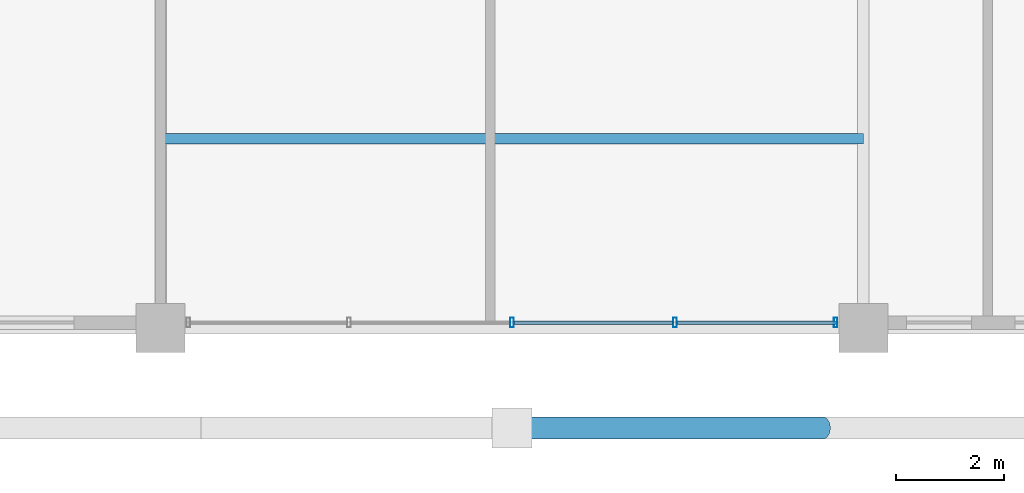
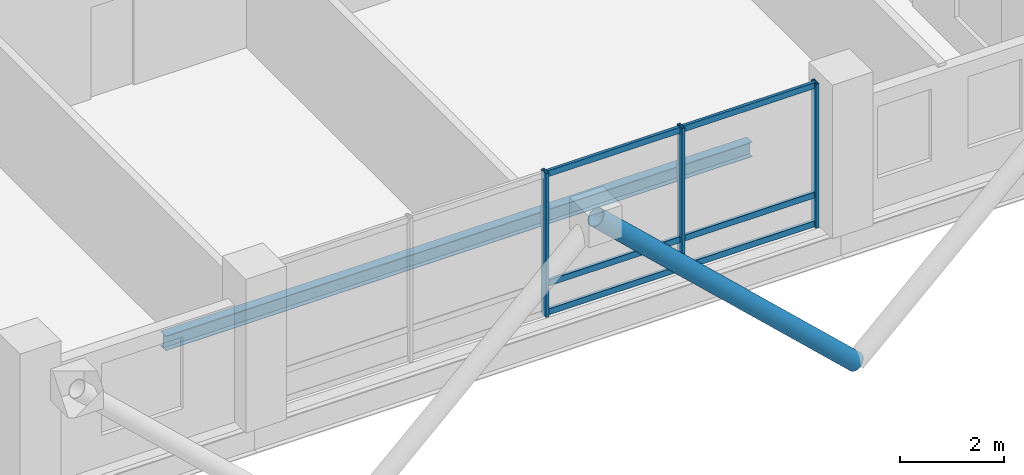
# One storey, part 5 of 23: 10 members, 1 beam, 1 element without a shape of its own.
"""IFC4 building model written with IfcOpenShell, lengths in metres."""

import ifcopenshell
import ifcopenshell.guid

model = None  # the IFC model being written
_history = None  # IfcOwnerHistory: only IFC2X3 demands one
_inside = {}  # id of a spatial element -> (the spatial element, [elements in it])
_under = {}  # id of a project, library or spatial element -> (it, [spatial elements below it])
_declared = {}  # id of a project -> (the project, [libraries it declares])
_typed = {}  # id of a type object -> (the type object, [elements of that type])
_made_of = {}  # id of a material, layer set ... -> (it, [elements and type objects made of it])


def new_model(schema):
    """Start an empty IFC model of exactly this schema.

    Asked for "IFC4X3", IfcOpenShell would pick the latest addendum, in which some entities
    have other attributes; the version numbers below select the first issue.
    IFC2X3 requires an IfcOwnerHistory on every rooted entity: one is made here for all.
    """
    global model, _history
    if schema == "IFC4X3":
        model = ifcopenshell.file(schema_version=(4, 3, 0, 0))
    else:
        model = ifcopenshell.file(schema=schema)
    _inside.clear()
    _under.clear()
    _declared.clear()
    _typed.clear()
    _made_of.clear()
    _history = None
    if model.schema == "IFC2X3":
        org = make("IfcOrganization", Name="unknown")
        user = make(
            "IfcPersonAndOrganization",
            ThePerson=make("IfcPerson", FamilyName="unknown"),
            TheOrganization=org,
        )
        app = make(
            "IfcApplication",
            ApplicationDeveloper=org,
            Version="unknown",
            ApplicationFullName="unknown",
            ApplicationIdentifier="unknown",
        )
        _history = make(
            "IfcOwnerHistory",
            OwningUser=user,
            OwningApplication=app,
            ChangeAction="ADDED",
            CreationDate=0,
        )
    return model


def make(cls, **values):
    """One entity of the class cls with the attributes given. An attribute that is None is left unset."""
    return model.create_entity(
        cls, **{name: value for name, value in values.items() if value is not None}
    )


def rooted(cls, **values):
    """An entity with a GlobalId (a new one), such as an element, a storey or a relation."""
    return make(cls, GlobalId=ifcopenshell.guid.new(), OwnerHistory=_history, **values)


def si_unit(unit_type, name, prefix=None):
    """IfcSIUnit, for example si_unit("LENGTHUNIT", "METRE", prefix="MILLI")."""
    return make("IfcSIUnit", UnitType=unit_type, Prefix=prefix, Name=name)


def assignment(units):
    """IfcUnitAssignment: the units of a project."""
    return None if units is None else make("IfcUnitAssignment", Units=units)


def point(xyz):
    """IfcCartesianPoint."""
    return None if xyz is None else make("IfcCartesianPoint", Coordinates=xyz)


def direction(xyz):
    """IfcDirection."""
    return None if xyz is None else make("IfcDirection", DirectionRatios=xyz)


def frame(location, z_axis=None, x_axis=None):
    """IfcAxis2Placement3D, a coordinate frame: its origin and axes. An axis left out is left unset."""
    return make(
        "IfcAxis2Placement3D",
        Location=point(location),
        Axis=direction(z_axis),
        RefDirection=direction(x_axis),
    )


def frame_2d(location, x_axis=None):
    """IfcAxis2Placement2D, a coordinate frame in the plane: its origin and x axis."""
    return make(
        "IfcAxis2Placement2D", Location=point(location), RefDirection=direction(x_axis)
    )


def origin():
    """The frame at (0, 0, 0) with its axes left unset."""
    return frame((0.0, 0.0, 0.0))


def origin_2d():
    """The frame at (0, 0) in the plane with its x axis left unset."""
    return frame_2d((0.0, 0.0))


def place(relative_to, where):
    """IfcLocalPlacement: puts the frame where relative to a parent placement (None: the world)."""
    return make(
        "IfcLocalPlacement", PlacementRelTo=relative_to, RelativePlacement=where
    )


def context(
    kind, dimensions, precision=None, world=None, true_north=None, identifier=None
):
    """IfcGeometricRepresentationContext, for example the 3D "Model" context."""
    return make(
        "IfcGeometricRepresentationContext",
        ContextIdentifier=identifier,
        ContextType=kind,
        CoordinateSpaceDimension=dimensions,
        Precision=precision,
        WorldCoordinateSystem=world,
        TrueNorth=true_north,
    )


def subcontext(parent, identifier, kind, view, scale=None):
    """IfcGeometricRepresentationSubContext, for example "Body" below "Model"."""
    return make(
        "IfcGeometricRepresentationSubContext",
        ContextIdentifier=identifier,
        ContextType=kind,
        ParentContext=parent,
        TargetScale=scale,
        TargetView=view,
    )


def project(units=None, contexts=None):
    """IfcProject with its units and contexts."""
    return rooted(
        "IfcProject",
        Name="project",
        RepresentationContexts=contexts,
        UnitsInContext=assignment(units),
    )


def spatial(cls, under=None, at=None, **own):
    """A site, building, storey or space (cls), placed at a placement, below another one or the project."""
    s = rooted(cls, ObjectPlacement=at, **own)
    if under is not None:
        _under.setdefault(under.id(), (under, []))[1].append(s)
    return s


def profile(cls, at=None, kind="AREA", **sizes):
    """A parametric profile (cls). Its sizes go by their IFC names, for example OverallWidth=200.0."""
    return make(cls, ProfileType=kind, Position=at, **sizes)


def hollow_rectangle(**sizes):
    """IfcRectangleHollowProfileDef."""
    return profile("IfcRectangleHollowProfileDef", **sizes)


def hollow_circle(**sizes):
    """IfcCircleHollowProfileDef."""
    return profile("IfcCircleHollowProfileDef", **sizes)


def i_section(**sizes):
    """IfcIShapeProfileDef."""
    return profile("IfcIShapeProfileDef", **sizes)


def extrude(swept, where, along, depth):
    """IfcExtrudedAreaSolid: the profile swept, set in the frame where, extruded along a direction by depth."""
    return make(
        "IfcExtrudedAreaSolid",
        SweptArea=swept,
        Position=where,
        ExtrudedDirection=direction(along),
        Depth=depth,
    )


def shape(context_of_items, identifier, shape_type, items):
    """IfcShapeRepresentation: the items that make up one representation, for example the "Body"."""
    return make(
        "IfcShapeRepresentation",
        ContextOfItems=context_of_items,
        RepresentationIdentifier=identifier,
        RepresentationType=shape_type,
        Items=items,
    )


def material(Name=None, Category=None):
    """IfcMaterial."""
    return make("IfcMaterial", Name=Name, Category=Category)


def layer(
    of_material, thickness, ventilated=None, Name=None, Category=None, Priority=None
):
    """IfcMaterialLayer: one layer of a wall or slab, of a material (None: an air gap)."""
    return make(
        "IfcMaterialLayer",
        Material=of_material,
        LayerThickness=thickness,
        IsVentilated=ventilated,
        Name=Name,
        Category=Category,
        Priority=Priority,
    )


def layer_set(layers, Name=None):
    """IfcMaterialLayerSet."""
    return make("IfcMaterialLayerSet", MaterialLayers=layers, LayerSetName=Name)


def material_profile(
    of_material, cross_section, Name=None, Category=None, Priority=None
):
    """IfcMaterialProfile: a cross section and its material."""
    return make(
        "IfcMaterialProfile",
        Name=Name,
        Material=of_material,
        Profile=cross_section,
        Priority=Priority,
        Category=Category,
    )


def profile_set(profiles, Name=None, composite=None):
    """IfcMaterialProfileSet."""
    return make(
        "IfcMaterialProfileSet",
        Name=Name,
        MaterialProfiles=profiles,
        CompositeProfile=composite,
    )


def made_of(thing, what):
    """Note that an element or type object is made of a material, layer set ...; save() writes the relation."""
    if what is not None:
        _made_of.setdefault(what.id(), (what, []))[1].append(thing)
    return thing


def type_object(cls, material=None, **own):
    """A type object (cls), such as IfcWallType, which elements share."""
    return made_of(rooted(cls, **own), material)


def element(
    cls,
    number,
    at=None,
    inside=None,
    cuts=None,
    type_object=None,
    material=None,
    context=None,
    identifier="Body",
    shape_type=None,
    held_by="IfcProductDefinitionShape",
    body=None,
    shapes=None,
    **own,
):
    """One element of the class cls, such as IfcWall. Its Tag is "e" and its number.

    at: its placement. inside: the storey or other place that contains it. cuts: it is an
    opening in that element (IfcRelVoidsElement). A single representation is given by context,
    identifier, shape_type and body (its items); several are given by shapes. held_by: the class
    of the entity that holds the representations. save() writes the other relations.
    """
    e = rooted(cls, Tag="e%d" % number, ObjectPlacement=at, **own)
    if body is not None:
        shapes = [shape(context, identifier, shape_type, body)]
    if shapes is not None:
        e.Representation = make(held_by, Representations=shapes)
    if inside is not None:
        _inside.setdefault(inside.id(), (inside, []))[1].append(e)
    if cuts is not None:
        rooted(
            "IfcRelVoidsElement", RelatingBuildingElement=cuts, RelatedOpeningElement=e
        )
    if type_object is not None:
        _typed.setdefault(type_object.id(), (type_object, []))[1].append(e)
    return made_of(e, material)


def aggregate(whole, parts):
    """IfcRelAggregates: a whole, such as a stair, and the parts it consists of."""
    return rooted("IfcRelAggregates", RelatingObject=whole, RelatedObjects=parts)


def save(model, path):
    """Write the relations noted so far, then the file.

    IfcRelAggregates (storeys below a building ...), IfcRelContainedInSpatialStructure (elements
    in a storey), IfcRelDefinesByType, IfcRelAssociatesMaterial and IfcRelDeclares: one each for
    every whole, place, type object, material and project.
    """
    for whole, parts in _under.values():
        aggregate(whole, parts)
    for where, things in _inside.values():
        rooted(
            "IfcRelContainedInSpatialStructure",
            RelatedElements=things,
            RelatingStructure=where,
        )
    for kind, things in _typed.values():
        rooted("IfcRelDefinesByType", RelatedObjects=things, RelatingType=kind)
    for what, things in _made_of.values():
        rooted("IfcRelAssociatesMaterial", RelatedObjects=things, RelatingMaterial=what)
    for by, libraries in _declared.values():
        rooted("IfcRelDeclares", RelatingContext=by, RelatedDefinitions=libraries)
    model.write(path)


model = new_model("IFC4")

# Units and contexts
model_context = context("Model", 3, precision=1e-05, world=origin(), true_north=direction((0.0, 1.0)))
body_context = subcontext(model_context, "Body", "Model", "MODEL_VIEW")
ifc_project = project(units=[si_unit("LENGTHUNIT", "METRE"), si_unit("AREAUNIT", "SQUARE_METRE"), si_unit("VOLUMEUNIT", "CUBIC_METRE"), si_unit("PLANEANGLEUNIT", "RADIAN"), si_unit("MASSUNIT", "GRAM", prefix="KILO")], contexts=[model_context])

# Site, building, storey
site_placement = place(None, origin())
site = spatial("IfcSite", under=ifc_project, at=site_placement, CompositionType="ELEMENT")
building_placement = place(site_placement, origin())
building = spatial("IfcBuilding", under=site, at=building_placement, Name="Barlavira Tower and Art Museum", CompositionType="ELEMENT")
storey_placement = place(building_placement, frame((0.0, 0.0, 279.89990234375)))
storey = spatial("IfcBuildingStorey", under=building, at=storey_placement, Name="L73", CompositionType="ELEMENT", Elevation=279.89990234375)

# Curtain wall, members
ifc_material_1 = material(Name="Low-iron coastal laminated glass", Category="glass")
ifc_layer = layer(ifc_material_1, 0.2099609375, Name="Low-iron coastal laminated glass")
ifc_layer_set = layer_set([ifc_layer], Name="Low-iron coastal laminated glass")
curtain_wall_type = type_object("IfcCurtainWallType", Name="Pale-Metal Unitised Curtain Wall Zone 4", PredefinedType="NOTDEFINED", material=ifc_layer_set)
curtain_wall_placement = place(storey_placement, origin())
curtain_wall = element("IfcCurtainWall", 1, at=curtain_wall_placement, inside=storey, type_object=curtain_wall_type, Name="L73 Curtain Wall CW4-L73-S-B2", PredefinedType="NOTDEFINED")
ifc_material_2 = material(Name="Pale anodised aluminium", Category="aluminium")
ifc_material_profile_1 = material_profile(ifc_material_2, hollow_rectangle(XDim=0.06494140625, YDim=0.179931640625, WallThickness=0.00390625, at=origin_2d()), Name="ALU-MULL 65x180x4")
ifc_profile_set_1 = profile_set([ifc_material_profile_1], Name="Pale anodised aluminium")
member_type_1 = type_object("IfcMemberType", Name="Curtain Wall Pale-Metal Mullion 65x180", PredefinedType="MULLION", material=ifc_profile_set_1)
member_1_placement = place(storey_placement, frame((0.0, -19.89990234375, 0.0), z_axis=(0.0, 0.0, 1.0), x_axis=(1.0, 0.0, 0.0)))
member_1 = element("IfcMember", 2, at=member_1_placement, type_object=member_type_1, Name="CW4-L73-S-B2 Mullion 2", PredefinedType="MULLION", context=body_context, shape_type="SweptSolid", body=[
    extrude(hollow_rectangle(XDim=0.06494140625, YDim=0.179931640625, WallThickness=0.00390625, at=origin_2d()), origin(), (0.0, 0.0, 1.0), 3.380126953125),
])
member_2_placement = place(storey_placement, frame((3.014892578125, -19.89990234375, 0.0), z_axis=(0.0, 0.0, 1.0), x_axis=(1.0, 0.0, 0.0)))
member_2 = element("IfcMember", 3, at=member_2_placement, type_object=member_type_1, Name="CW4-L73-S-B2 Mullion 3", PredefinedType="MULLION", context=body_context, shape_type="SweptSolid", body=[
    extrude(hollow_rectangle(XDim=0.06494140625, YDim=0.179931640625, WallThickness=0.00390625, at=origin_2d()), origin(), (0.0, 0.0, 1.0), 3.380126953125),
])
member_3_placement = place(storey_placement, frame((5.985107421875, -19.89990234375, 0.0), z_axis=(0.0, 0.0, 1.0), x_axis=(1.0, 0.0, 0.0)))
member_3 = element("IfcMember", 4, at=member_3_placement, type_object=member_type_1, Name="CW4-L73-S-B2 Mullion 4", PredefinedType="MULLION", context=body_context, shape_type="SweptSolid", body=[
    extrude(hollow_rectangle(XDim=0.06494140625, YDim=0.179931640625, WallThickness=0.00390625, at=origin_2d()), origin(), (0.0, 0.0, 1.0), 3.380126953125),
])
ifc_material_profile_2 = material_profile(ifc_material_2, hollow_rectangle(XDim=0.06494140625, YDim=0.139892578125, WallThickness=0.00390625, at=origin_2d()), Name="ALU-TRAN 65x140x4")
ifc_profile_set_2 = profile_set([ifc_material_profile_2], Name="Pale anodised aluminium")
member_type_2 = type_object("IfcMemberType", Name="Curtain Wall Pale-Metal Transom 65x140", PredefinedType="USERDEFINED", material=ifc_profile_set_2)
member_4_placement = place(storey_placement, frame((0.044921875, -19.89990234375, 0.070068359375), z_axis=(1.0, 0.0, 0.0), x_axis=(0.0, 1.0, 0.0)))
member_4 = element("IfcMember", 5, at=member_4_placement, type_object=member_type_2, Name="CW4-L73-S-B2 Transom 2.1", ObjectType="TRANSOM", PredefinedType="USERDEFINED", context=body_context, shape_type="SweptSolid", body=[
    extrude(hollow_rectangle(XDim=0.06494140625, YDim=0.139892578125, WallThickness=0.00390625, at=origin_2d()), origin(), (0.0, 0.0, 1.0), 2.925048828125),
])
member_5_placement = place(storey_placement, frame((0.044921875, -19.89990234375, 0.744140625), z_axis=(1.0, 0.0, 0.0), x_axis=(0.0, 1.0, 0.0)))
member_5 = element("IfcMember", 6, at=member_5_placement, type_object=member_type_2, Name="CW4-L73-S-B2 Transom 2.2", ObjectType="TRANSOM", PredefinedType="USERDEFINED", context=body_context, shape_type="SweptSolid", body=[
    extrude(hollow_rectangle(XDim=0.06494140625, YDim=0.139892578125, WallThickness=0.00390625, at=origin_2d()), origin(), (0.0, 0.0, 1.0), 2.925048828125),
])
member_6_placement = place(storey_placement, frame((0.044921875, -19.89990234375, 3.31005859375), z_axis=(1.0, 0.0, 0.0), x_axis=(0.0, 1.0, 0.0)))
member_6 = element("IfcMember", 7, at=member_6_placement, type_object=member_type_2, Name="CW4-L73-S-B2 Transom 2.3", ObjectType="TRANSOM", PredefinedType="USERDEFINED", context=body_context, shape_type="SweptSolid", body=[
    extrude(hollow_rectangle(XDim=0.06494140625, YDim=0.139892578125, WallThickness=0.00390625, at=origin_2d()), origin(), (0.0, 0.0, 1.0), 2.925048828125),
])
member_7_placement = place(storey_placement, frame((3.06005859375, -19.89990234375, 0.070068359375), z_axis=(1.0, 0.0, 0.0), x_axis=(0.0, 1.0, 0.0)))
member_7 = element("IfcMember", 8, at=member_7_placement, type_object=member_type_2, Name="CW4-L73-S-B2 Transom 3.1", ObjectType="TRANSOM", PredefinedType="USERDEFINED", context=body_context, shape_type="SweptSolid", body=[
    extrude(hollow_rectangle(XDim=0.06494140625, YDim=0.139892578125, WallThickness=0.00390625, at=origin_2d()), origin(), (0.0, 0.0, 1.0), 2.925048828125),
])
member_8_placement = place(storey_placement, frame((3.06005859375, -19.89990234375, 0.744140625), z_axis=(1.0, 0.0, 0.0), x_axis=(0.0, 1.0, 0.0)))
member_8 = element("IfcMember", 9, at=member_8_placement, type_object=member_type_2, Name="CW4-L73-S-B2 Transom 3.2", ObjectType="TRANSOM", PredefinedType="USERDEFINED", context=body_context, shape_type="SweptSolid", body=[
    extrude(hollow_rectangle(XDim=0.06494140625, YDim=0.139892578125, WallThickness=0.00390625, at=origin_2d()), origin(), (0.0, 0.0, 1.0), 2.925048828125),
])
member_9_placement = place(storey_placement, frame((3.06005859375, -19.89990234375, 3.31005859375), z_axis=(1.0, 0.0, 0.0), x_axis=(0.0, 1.0, 0.0)))
member_9 = element("IfcMember", 10, at=member_9_placement, type_object=member_type_2, Name="CW4-L73-S-B2 Transom 3.3", ObjectType="TRANSOM", PredefinedType="USERDEFINED", context=body_context, shape_type="SweptSolid", body=[
    extrude(hollow_rectangle(XDim=0.06494140625, YDim=0.139892578125, WallThickness=0.00390625, at=origin_2d()), origin(), (0.0, 0.0, 1.0), 2.925048828125),
])
aggregate(curtain_wall, [member_1, member_2, member_3, member_4, member_5, member_6, member_7, member_8, member_9])

# Member
ifc_material_3 = material(Name="Steel S355", Category="steel")
ifc_material_profile_3 = material_profile(ifc_material_3, hollow_circle(Radius=0.203125, WallThickness=0.01611328125, at=origin_2d()), Name="CHS 406.4x16.0")
ifc_profile_set_3 = profile_set([ifc_material_profile_3], Name="Steel S355")
member_type_3 = type_object("IfcMemberType", Name="Pale-Metal Exoskeleton Diagrid Tube CHS 406x16 Steel S355", PredefinedType="BRACE", material=ifc_profile_set_3)
member_10_placement = place(storey_placement, frame((5.75, -21.85009765625, -1.919921875), z_axis=(-0.728950095515, 0.0, 0.684566839869), x_axis=(0.0, -1.0, 0.0)))
element("IfcMember", 11, at=member_10_placement, inside=storey, type_object=member_type_3, Name="L73 Exoskeleton Diagrid Tube S", PredefinedType="BRACE", context=body_context, shape_type="SweptSolid", body=[
    extrude(hollow_circle(Radius=0.203125, WallThickness=0.01611328125, at=origin_2d()), origin(), (0.0, 0.0, 1.0), 7.887939453125),
])

# Beam
ifc_material_profile_4 = material_profile(ifc_material_3, i_section(OverallWidth=0.202880859375, OverallDepth=0.346923828125, WebThickness=0.0078125, FlangeThickness=0.013427734375, at=origin_2d()), Name="W360x64.0")
ifc_profile_set_4 = profile_set([ifc_material_profile_4], Name="Steel S355")
beam_type = type_object("IfcBeamType", Name="Zone 4 Composite Floor Joist W360x64 Steel S355", PredefinedType="JOIST", material=ifc_profile_set_4)
beam_placement = place(storey_placement, frame((-6.5, -16.5, -0.393310546875), z_axis=(1.0, 0.0, 0.0), x_axis=(0.0, 1.0, 0.0)))
element("IfcBeam", 12, at=beam_placement, inside=storey, type_object=beam_type, Name="L73 Joist C1", PredefinedType="JOIST", context=body_context, shape_type="SweptSolid", body=[
    extrude(i_section(OverallWidth=0.202880859375, OverallDepth=0.346923828125, WebThickness=0.0078125, FlangeThickness=0.013427734375, at=origin_2d()), origin(), (0.0, 0.0, 1.0), 13.0),
])

save(model, "model.ifc")
